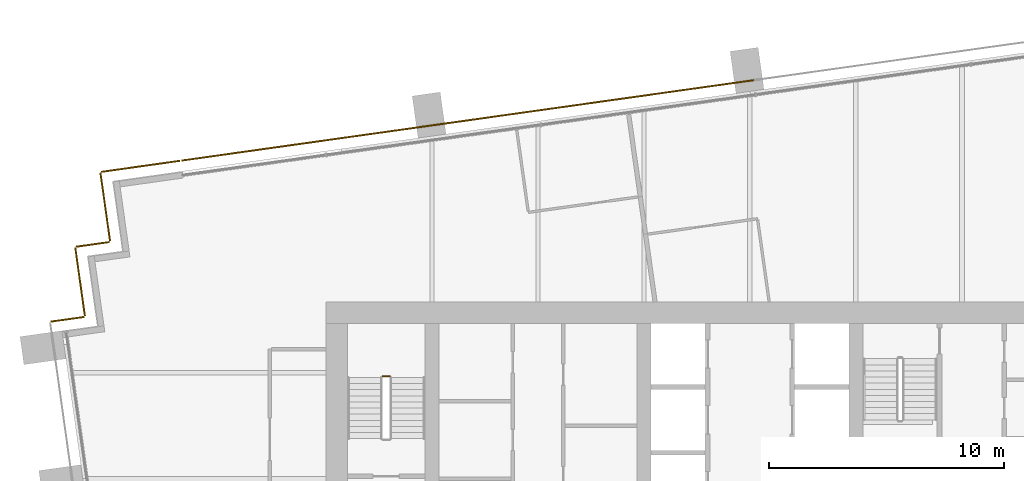
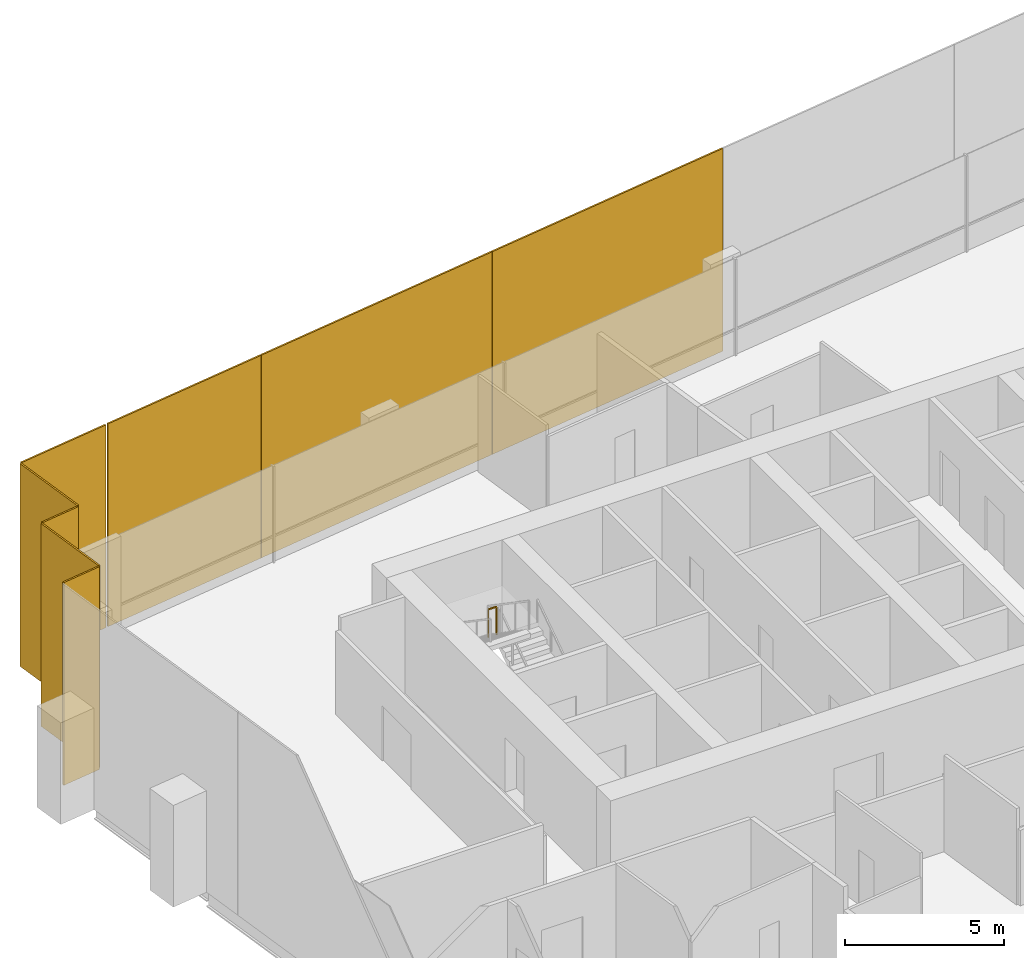
# One storey, part 16 of 17: 8 coverings, 1 railing.
"""IFC4 building model written with IfcOpenShell, lengths in metres."""

from ifc_helpers import new_model, si_unit, direction, frame, origin, origin_2d, place, context, subcontext, project, spatial, rectangle, extrude, material, layer, layer_set, type_object, element, save


model = new_model("IFC4")

# Units and contexts
model_context = context("Model", 3, precision=1e-05, world=origin(), true_north=direction((0.0, 1.0)))
body_context = subcontext(model_context, "Body", "Model", "MODEL_VIEW")
ifc_project = project(units=[si_unit("LENGTHUNIT", "METRE"), si_unit("AREAUNIT", "SQUARE_METRE"), si_unit("VOLUMEUNIT", "CUBIC_METRE"), si_unit("PLANEANGLEUNIT", "RADIAN"), si_unit("MASSUNIT", "GRAM", prefix="KILO")], contexts=[model_context])

# Site, building, storey
site_placement = place(None, origin())
site = spatial("IfcSite", under=ifc_project, at=site_placement, CompositionType="ELEMENT")
building_placement = place(site_placement, origin())
building = spatial("IfcBuilding", under=site, at=building_placement, Name="Rattan Terrace Tower", CompositionType="ELEMENT")
storey_placement = place(building_placement, frame((0.0, 0.0, 168.5)))
storey = spatial("IfcBuildingStorey", under=building, at=storey_placement, Name="L38", CompositionType="ELEMENT", Elevation=168.5)

# Railing
ifc_material_1 = material(Name="Powder-coated steel guard", Category="steel")
railing_type = type_object("IfcRailingType", Name="Core stair guard", PredefinedType="GUARDRAIL", material=ifc_material_1)
railing_placement = place(storey_placement, frame((-15.300048828125, 4.35009765625, 1.949951171875)))
element("IfcRailing", 1, at=railing_placement, inside=storey, type_object=railing_type, Name="L38 S1 stair guard 2", PredefinedType="GUARDRAIL", context=body_context, shape_type="SweptSolid", body=[
    extrude(rectangle(XDim=0.048095703125, YDim=0.048095703125, at=origin_2d()), frame((0.0, 0.0, 1.076171875), z_axis=(-1.0, 0.0, 0.0), x_axis=(0.0, -1.0, 0.0)), (0.0, 0.0, 1.0), 0.300048828125),
    extrude(rectangle(XDim=0.0419921875, YDim=0.0419921875, at=origin_2d()), origin(), (0.0, 0.0, 1.0), 1.052001953125),
    extrude(rectangle(XDim=0.0419921875, YDim=0.0419921875, at=origin_2d()), frame((-0.300048828125, 0.0, 0.0)), (0.0, 0.0, 1.0), 1.052001953125),
])

# Coverings
ifc_material_2 = material(Name="Perforated terracotta", Category="masonry")
ifc_layer = layer(ifc_material_2, 0.06005859375)
ifc_layer_set = layer_set([ifc_layer], Name="Facade Terracotta Screen Panel")
covering_type = type_object("IfcCoveringType", Name="Facade Terracotta Screen Panel", PredefinedType="CLADDING", material=ifc_layer_set)
for number, where, z_axis, x_axis, name in (
    (2, (-4.39794921875, 16.285400390625, -0.18994140625), (0.0, 0.0, 1.0), (-0.990269702686, -0.139161474347, 0.0), "OUTER SKIN panel L38-17"),
    (3, (-13.521484375, 15.003173828125, -0.18994140625), (0.0, 0.0, 1.0), (-0.990269702686, -0.139161474347, 0.0), "OUTER SKIN panel L38-18"),
):
    element("IfcCovering", number, at=place(storey_placement, frame(where, z_axis=z_axis, x_axis=x_axis)), inside=storey, type_object=covering_type, Name=name, PredefinedType="CLADDING", context=body_context, shape_type="SweptSolid", body=[
        extrude(rectangle(XDim=9.193115234375, YDim=0.06005859375, at=origin_2d()), origin(), (0.0, 0.0, 1.0), 7.780029296875),
    ])
covering_1_placement = place(storey_placement, frame((-21.112548828125, 13.9365234375, -0.18994140625), z_axis=(0.0, 0.0, 1.0), x_axis=(-0.990269702686, -0.139161474347, 0.0)))
element("IfcCovering", 4, at=covering_1_placement, inside=storey, type_object=covering_type, Name="OUTER SKIN panel L38-19", PredefinedType="CLADDING", context=body_context, shape_type="SweptSolid", body=[
    extrude(rectangle(XDim=6.098388671875, YDim=0.06005859375, at=origin_2d()), origin(), (0.0, 0.0, 1.0), 7.780029296875),
])
covering_2_placement = place(storey_placement, frame((-25.8798828125, 13.266357421875, -0.18994140625), z_axis=(0.0, 0.0, 1.0), x_axis=(-0.990247240581, -0.139321220646, 0.0)))
element("IfcCovering", 5, at=covering_2_placement, inside=storey, type_object=covering_type, Name="OUTER SKIN panel L38-20", PredefinedType="CLADDING", context=body_context, shape_type="SweptSolid", body=[
    extrude(rectangle(XDim=3.370361328125, YDim=0.06005859375, at=origin_2d()), origin(), (0.0, 0.0, 1.0), 7.780029296875),
])
covering_3_placement = place(storey_placement, frame((-27.37939453125, 11.54052734375, -0.18994140625), z_axis=(0.0, 0.0, 1.0), x_axis=(0.139321220646, -0.990247240581, 0.0)))
element("IfcCovering", 6, at=covering_3_placement, inside=storey, type_object=covering_type, Name="OUTER SKIN panel L38-21", PredefinedType="CLADDING", context=body_context, shape_type="SweptSolid", body=[
    extrude(rectangle(XDim=2.919921875, YDim=0.06005859375, at=origin_2d()), origin(), (0.0, 0.0, 1.0), 7.780029296875),
])
covering_4_placement = place(storey_placement, frame((-27.913330078125, 9.951171875, -0.18994140625), z_axis=(0.0, 0.0, 1.0), x_axis=(-0.990345406709, -0.138621698915, 0.0)))
element("IfcCovering", 7, at=covering_4_placement, inside=storey, type_object=covering_type, Name="OUTER SKIN panel L38-22", PredefinedType="CLADDING", context=body_context, shape_type="SweptSolid", body=[
    extrude(rectangle(XDim=1.42041015625, YDim=0.06005859375, at=origin_2d()), origin(), (0.0, 0.0, 1.0), 7.780029296875),
])
covering_5_placement = place(storey_placement, frame((-28.447265625, 8.361572265625, -0.18994140625), z_axis=(0.0, 0.0, 1.0), x_axis=(0.139321220646, -0.990247240581, 0.0)))
element("IfcCovering", 8, at=covering_5_placement, inside=storey, type_object=covering_type, Name="OUTER SKIN panel L38-23", PredefinedType="CLADDING", context=body_context, shape_type="SweptSolid", body=[
    extrude(rectangle(XDim=2.920654296875, YDim=0.06005859375, at=origin_2d()), origin(), (0.0, 0.0, 1.0), 7.780029296875),
])
covering_6_placement = place(storey_placement, frame((-28.981201171875, 6.771484375, -0.18994140625), z_axis=(0.0, 0.0, 1.0), x_axis=(-0.99025370695, -0.139275252184, 0.0)))
element("IfcCovering", 9, at=covering_6_placement, inside=storey, type_object=covering_type, Name="OUTER SKIN panel L38-24", PredefinedType="CLADDING", context=body_context, shape_type="SweptSolid", body=[
    extrude(rectangle(XDim=1.420654296875, YDim=0.06005859375, at=origin_2d()), origin(), (0.0, 0.0, 1.0), 7.780029296875),
])

save(model, "model.ifc")
